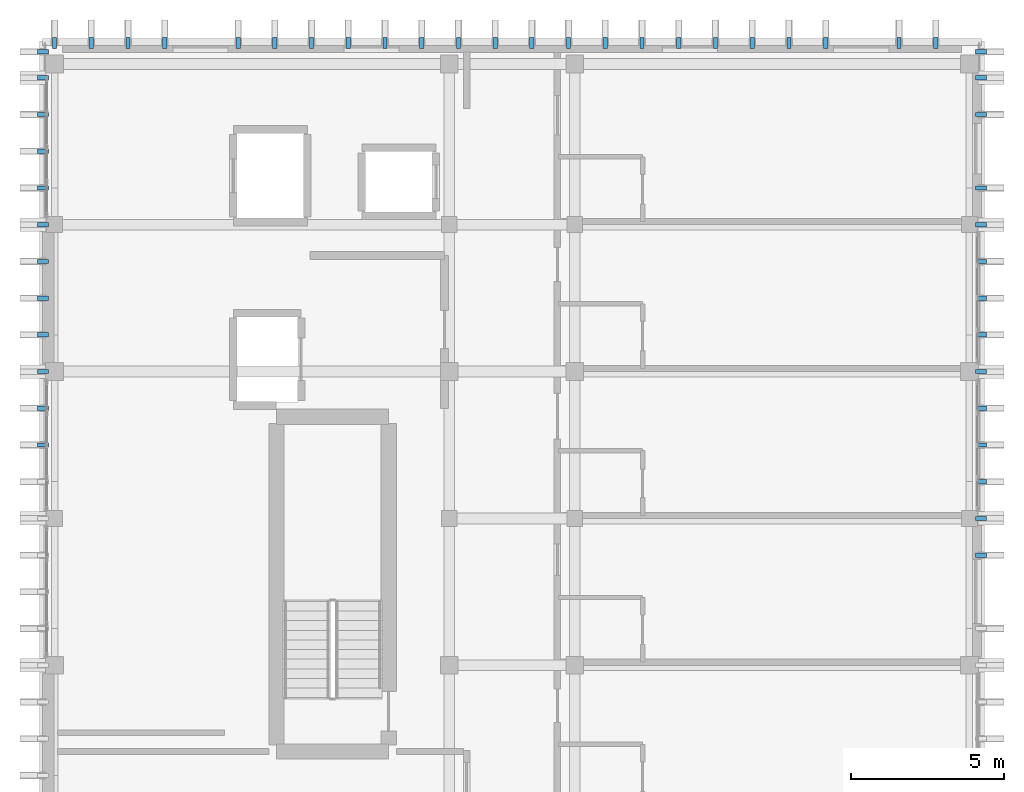
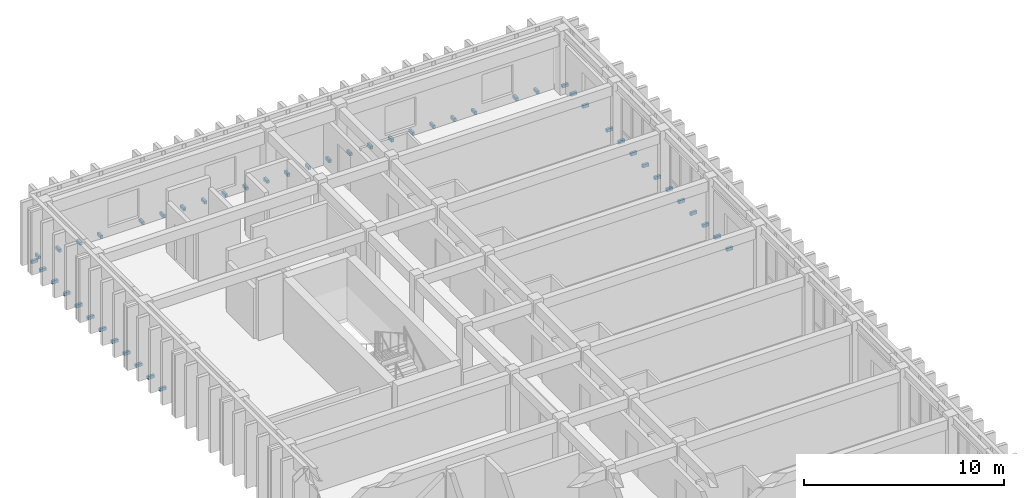
# One storey, part 43 of 49: 49 discrete accessories.
"""IFC4 building model written with IfcOpenShell, lengths in metres."""

import ifcopenshell
import ifcopenshell.guid

model = None  # the IFC model being written
_history = None  # IfcOwnerHistory: only IFC2X3 demands one
_inside = {}  # id of a spatial element -> (the spatial element, [elements in it])
_under = {}  # id of a project, library or spatial element -> (it, [spatial elements below it])
_declared = {}  # id of a project -> (the project, [libraries it declares])
_typed = {}  # id of a type object -> (the type object, [elements of that type])
_made_of = {}  # id of a material, layer set ... -> (it, [elements and type objects made of it])


def new_model(schema):
    """Start an empty IFC model of exactly this schema.

    Asked for "IFC4X3", IfcOpenShell would pick the latest addendum, in which some entities
    have other attributes; the version numbers below select the first issue.
    IFC2X3 requires an IfcOwnerHistory on every rooted entity: one is made here for all.
    """
    global model, _history
    if schema == "IFC4X3":
        model = ifcopenshell.file(schema_version=(4, 3, 0, 0))
    else:
        model = ifcopenshell.file(schema=schema)
    _inside.clear()
    _under.clear()
    _declared.clear()
    _typed.clear()
    _made_of.clear()
    _history = None
    if model.schema == "IFC2X3":
        org = make("IfcOrganization", Name="unknown")
        user = make(
            "IfcPersonAndOrganization",
            ThePerson=make("IfcPerson", FamilyName="unknown"),
            TheOrganization=org,
        )
        app = make(
            "IfcApplication",
            ApplicationDeveloper=org,
            Version="unknown",
            ApplicationFullName="unknown",
            ApplicationIdentifier="unknown",
        )
        _history = make(
            "IfcOwnerHistory",
            OwningUser=user,
            OwningApplication=app,
            ChangeAction="ADDED",
            CreationDate=0,
        )
    return model


def make(cls, **values):
    """One entity of the class cls with the attributes given. An attribute that is None is left unset."""
    return model.create_entity(
        cls, **{name: value for name, value in values.items() if value is not None}
    )


def rooted(cls, **values):
    """An entity with a GlobalId (a new one), such as an element, a storey or a relation."""
    return make(cls, GlobalId=ifcopenshell.guid.new(), OwnerHistory=_history, **values)


def si_unit(unit_type, name, prefix=None):
    """IfcSIUnit, for example si_unit("LENGTHUNIT", "METRE", prefix="MILLI")."""
    return make("IfcSIUnit", UnitType=unit_type, Prefix=prefix, Name=name)


def assignment(units):
    """IfcUnitAssignment: the units of a project."""
    return None if units is None else make("IfcUnitAssignment", Units=units)


def point(xyz):
    """IfcCartesianPoint."""
    return None if xyz is None else make("IfcCartesianPoint", Coordinates=xyz)


def direction(xyz):
    """IfcDirection."""
    return None if xyz is None else make("IfcDirection", DirectionRatios=xyz)


def frame(location, z_axis=None, x_axis=None):
    """IfcAxis2Placement3D, a coordinate frame: its origin and axes. An axis left out is left unset."""
    return make(
        "IfcAxis2Placement3D",
        Location=point(location),
        Axis=direction(z_axis),
        RefDirection=direction(x_axis),
    )


def frame_2d(location, x_axis=None):
    """IfcAxis2Placement2D, a coordinate frame in the plane: its origin and x axis."""
    return make(
        "IfcAxis2Placement2D", Location=point(location), RefDirection=direction(x_axis)
    )


def origin():
    """The frame at (0, 0, 0) with its axes left unset."""
    return frame((0.0, 0.0, 0.0))


def origin_2d():
    """The frame at (0, 0) in the plane with its x axis left unset."""
    return frame_2d((0.0, 0.0))


def place(relative_to, where):
    """IfcLocalPlacement: puts the frame where relative to a parent placement (None: the world)."""
    return make(
        "IfcLocalPlacement", PlacementRelTo=relative_to, RelativePlacement=where
    )


def context(
    kind, dimensions, precision=None, world=None, true_north=None, identifier=None
):
    """IfcGeometricRepresentationContext, for example the 3D "Model" context."""
    return make(
        "IfcGeometricRepresentationContext",
        ContextIdentifier=identifier,
        ContextType=kind,
        CoordinateSpaceDimension=dimensions,
        Precision=precision,
        WorldCoordinateSystem=world,
        TrueNorth=true_north,
    )


def subcontext(parent, identifier, kind, view, scale=None):
    """IfcGeometricRepresentationSubContext, for example "Body" below "Model"."""
    return make(
        "IfcGeometricRepresentationSubContext",
        ContextIdentifier=identifier,
        ContextType=kind,
        ParentContext=parent,
        TargetScale=scale,
        TargetView=view,
    )


def project(units=None, contexts=None):
    """IfcProject with its units and contexts."""
    return rooted(
        "IfcProject",
        Name="project",
        RepresentationContexts=contexts,
        UnitsInContext=assignment(units),
    )


def spatial(cls, under=None, at=None, **own):
    """A site, building, storey or space (cls), placed at a placement, below another one or the project."""
    s = rooted(cls, ObjectPlacement=at, **own)
    if under is not None:
        _under.setdefault(under.id(), (under, []))[1].append(s)
    return s


def profile(cls, at=None, kind="AREA", **sizes):
    """A parametric profile (cls). Its sizes go by their IFC names, for example OverallWidth=200.0."""
    return make(cls, ProfileType=kind, Position=at, **sizes)


def rectangle(**sizes):
    """IfcRectangleProfileDef."""
    return profile("IfcRectangleProfileDef", **sizes)


def extrude(swept, where, along, depth):
    """IfcExtrudedAreaSolid: the profile swept, set in the frame where, extruded along a direction by depth."""
    return make(
        "IfcExtrudedAreaSolid",
        SweptArea=swept,
        Position=where,
        ExtrudedDirection=direction(along),
        Depth=depth,
    )


def shape(context_of_items, identifier, shape_type, items):
    """IfcShapeRepresentation: the items that make up one representation, for example the "Body"."""
    return make(
        "IfcShapeRepresentation",
        ContextOfItems=context_of_items,
        RepresentationIdentifier=identifier,
        RepresentationType=shape_type,
        Items=items,
    )


def material(Name=None, Category=None):
    """IfcMaterial."""
    return make("IfcMaterial", Name=Name, Category=Category)


def made_of(thing, what):
    """Note that an element or type object is made of a material, layer set ...; save() writes the relation."""
    if what is not None:
        _made_of.setdefault(what.id(), (what, []))[1].append(thing)
    return thing


def type_object(cls, material=None, **own):
    """A type object (cls), such as IfcWallType, which elements share."""
    return made_of(rooted(cls, **own), material)


def element(
    cls,
    number,
    at=None,
    inside=None,
    cuts=None,
    type_object=None,
    material=None,
    context=None,
    identifier="Body",
    shape_type=None,
    held_by="IfcProductDefinitionShape",
    body=None,
    shapes=None,
    **own,
):
    """One element of the class cls, such as IfcWall. Its Tag is "e" and its number.

    at: its placement. inside: the storey or other place that contains it. cuts: it is an
    opening in that element (IfcRelVoidsElement). A single representation is given by context,
    identifier, shape_type and body (its items); several are given by shapes. held_by: the class
    of the entity that holds the representations. save() writes the other relations.
    """
    e = rooted(cls, Tag="e%d" % number, ObjectPlacement=at, **own)
    if body is not None:
        shapes = [shape(context, identifier, shape_type, body)]
    if shapes is not None:
        e.Representation = make(held_by, Representations=shapes)
    if inside is not None:
        _inside.setdefault(inside.id(), (inside, []))[1].append(e)
    if cuts is not None:
        rooted(
            "IfcRelVoidsElement", RelatingBuildingElement=cuts, RelatedOpeningElement=e
        )
    if type_object is not None:
        _typed.setdefault(type_object.id(), (type_object, []))[1].append(e)
    return made_of(e, material)


def aggregate(whole, parts):
    """IfcRelAggregates: a whole, such as a stair, and the parts it consists of."""
    return rooted("IfcRelAggregates", RelatingObject=whole, RelatedObjects=parts)


def save(model, path):
    """Write the relations noted so far, then the file.

    IfcRelAggregates (storeys below a building ...), IfcRelContainedInSpatialStructure (elements
    in a storey), IfcRelDefinesByType, IfcRelAssociatesMaterial and IfcRelDeclares: one each for
    every whole, place, type object, material and project.
    """
    for whole, parts in _under.values():
        aggregate(whole, parts)
    for where, things in _inside.values():
        rooted(
            "IfcRelContainedInSpatialStructure",
            RelatedElements=things,
            RelatingStructure=where,
        )
    for kind, things in _typed.values():
        rooted("IfcRelDefinesByType", RelatedObjects=things, RelatingType=kind)
    for what, things in _made_of.values():
        rooted("IfcRelAssociatesMaterial", RelatedObjects=things, RelatingMaterial=what)
    for by, libraries in _declared.values():
        rooted("IfcRelDeclares", RelatingContext=by, RelatedDefinitions=libraries)
    model.write(path)


model = new_model("IFC4")

# Units and contexts
model_context = context("Model", 3, precision=1e-05, world=origin(), true_north=direction((0.0, 1.0)))
body_context = subcontext(model_context, "Body", "Model", "MODEL_VIEW")
ifc_project = project(units=[si_unit("LENGTHUNIT", "METRE"), si_unit("AREAUNIT", "SQUARE_METRE"), si_unit("VOLUMEUNIT", "CUBIC_METRE"), si_unit("PLANEANGLEUNIT", "RADIAN"), si_unit("MASSUNIT", "GRAM", prefix="KILO")], contexts=[model_context])

# Site, building, storey
site_placement = place(None, origin())
site = spatial("IfcSite", under=ifc_project, at=site_placement, CompositionType="ELEMENT")
building_placement = place(site_placement, origin())
building = spatial("IfcBuilding", under=site, at=building_placement, Name="Nakhvara Creek Congress Hotel", CompositionType="ELEMENT")
storey_placement = place(building_placement, frame((0.0, 0.0, 46.5)))
storey = spatial("IfcBuildingStorey", under=building, at=storey_placement, Name="L11", CompositionType="ELEMENT", Elevation=46.5)

# Discrete accessories
ifc_material = material(Name="Brushed stainless steel 316L", Category="steel")
discrete_accessory_type = type_object("IfcDiscreteAccessoryType", Name="ACC-BRK-SS316", PredefinedType="BRACKET", material=ifc_material)
for number, where, z_axis, x_axis, name in (
    (1, (179.72998046875, 109.199951171875, -0.10986328125), (0.0, 0.0, 1.0), (0.0, 1.0, 0.0), "Stainless Fin Bracket BK01-2371"),
    (2, (179.72998046875, 110.39990234375, -0.10986328125), (0.0, 0.0, 1.0), (0.0, 1.0, 0.0), "Stainless Fin Bracket BK01-2373"),
    (3, (179.72998046875, 111.60009765625, -0.10986328125), (0.0, 0.0, 1.0), (0.0, 1.0, 0.0), "Stainless Fin Bracket BK01-2375"),
    (4, (179.72998046875, 112.800048828125, -0.10986328125), (0.0, 0.0, 1.0), (0.0, 1.0, 0.0), "Stainless Fin Bracket BK01-2377"),
    (5, (149.070068359375, 112.800048828125, -0.10986328125), (0.0, 0.0, 1.0), (0.0, 1.0, 0.0), "Stainless Fin Bracket BK01-2378"),
    (6, (179.72998046875, 114.0, -0.10986328125), (0.0, 0.0, 1.0), (0.0, 1.0, 0.0), "Stainless Fin Bracket BK01-2379"),
    (7, (149.070068359375, 114.0, -0.10986328125), (0.0, 0.0, 1.0), (0.0, 1.0, 0.0), "Stainless Fin Bracket BK01-2380"),
    (8, (179.72998046875, 115.199951171875, -0.10986328125), (0.0, 0.0, 1.0), (0.0, 1.0, 0.0), "Stainless Fin Bracket BK01-2381"),
    (9, (149.070068359375, 115.199951171875, -0.10986328125), (0.0, 0.0, 1.0), (0.0, 1.0, 0.0), "Stainless Fin Bracket BK01-2382"),
    (10, (179.72998046875, 116.39990234375, -0.10986328125), (0.0, 0.0, 1.0), (0.0, 1.0, 0.0), "Stainless Fin Bracket BK01-2383"),
    (11, (149.070068359375, 116.39990234375, -0.10986328125), (0.0, 0.0, 1.0), (0.0, 1.0, 0.0), "Stainless Fin Bracket BK01-2384"),
    (12, (179.72998046875, 117.60009765625, -0.10986328125), (0.0, 0.0, 1.0), (0.0, 1.0, 0.0), "Stainless Fin Bracket BK01-2385"),
    (13, (149.070068359375, 117.60009765625, -0.10986328125), (0.0, 0.0, 1.0), (0.0, 1.0, 0.0), "Stainless Fin Bracket BK01-2386"),
    (14, (179.72998046875, 118.800048828125, -0.10986328125), (0.0, 0.0, 1.0), (0.0, 1.0, 0.0), "Stainless Fin Bracket BK01-2387"),
    (15, (149.070068359375, 118.800048828125, -0.10986328125), (0.0, 0.0, 1.0), (0.0, 1.0, 0.0), "Stainless Fin Bracket BK01-2388"),
    (16, (179.72998046875, 120.0, -0.10986328125), (0.0, 0.0, 1.0), (0.0, 1.0, 0.0), "Stainless Fin Bracket BK01-2389"),
    (17, (149.070068359375, 120.0, -0.10986328125), (0.0, 0.0, 1.0), (0.0, 1.0, 0.0), "Stainless Fin Bracket BK01-2390"),
    (18, (179.72998046875, 121.199951171875, -0.10986328125), (0.0, 0.0, 1.0), (0.0, 1.0, 0.0), "Stainless Fin Bracket BK01-2391"),
    (19, (149.070068359375, 121.199951171875, -0.10986328125), (0.0, 0.0, 1.0), (0.0, 1.0, 0.0), "Stainless Fin Bracket BK01-2392"),
    (20, (149.070068359375, 122.39990234375, -0.10986328125), (0.0, 0.0, 1.0), (0.0, 1.0, 0.0), "Stainless Fin Bracket BK01-2393"),
    (21, (179.72998046875, 123.60009765625, -0.10986328125), (0.0, 0.0, 1.0), (0.0, 1.0, 0.0), "Stainless Fin Bracket BK01-2394"),
    (22, (149.070068359375, 123.60009765625, -0.10986328125), (0.0, 0.0, 1.0), (0.0, 1.0, 0.0), "Stainless Fin Bracket BK01-2395"),
    (23, (179.72998046875, 124.800048828125, -0.10986328125), (0.0, 0.0, 1.0), (0.0, 1.0, 0.0), "Stainless Fin Bracket BK01-2396"),
    (24, (149.070068359375, 124.800048828125, -0.10986328125), (0.0, 0.0, 1.0), (0.0, 1.0, 0.0), "Stainless Fin Bracket BK01-2397"),
    (25, (179.72998046875, 125.64990234375, -0.10986328125), (0.0, 0.0, 1.0), (0.0, 1.0, 0.0), "Stainless Fin Bracket BK01-2398"),
    (26, (149.070068359375, 125.64990234375, -0.10986328125), (0.0, 0.0, 1.0), (0.0, 1.0, 0.0), "Stainless Fin Bracket BK01-2399"),
    (27, (149.449951171875, 125.93994140625, -0.10986328125), (0.0, 0.0, 1.0), (1.0, 0.0, 0.0), "Stainless Fin Bracket BK01-2400"),
    (28, (150.64990234375, 125.93994140625, -0.10986328125), (0.0, 0.0, 1.0), (1.0, 0.0, 0.0), "Stainless Fin Bracket BK01-2402"),
    (29, (151.85009765625, 125.93994140625, -0.10986328125), (0.0, 0.0, 1.0), (1.0, 0.0, 0.0), "Stainless Fin Bracket BK01-2404"),
    (30, (153.050048828125, 125.93994140625, -0.10986328125), (0.0, 0.0, 1.0), (1.0, 0.0, 0.0), "Stainless Fin Bracket BK01-2406"),
    (31, (155.449951171875, 125.93994140625, -0.10986328125), (0.0, 0.0, 1.0), (1.0, 0.0, 0.0), "Stainless Fin Bracket BK01-2408"),
    (32, (156.64990234375, 125.93994140625, -0.10986328125), (0.0, 0.0, 1.0), (1.0, 0.0, 0.0), "Stainless Fin Bracket BK01-2410"),
    (33, (157.85009765625, 125.93994140625, -0.10986328125), (0.0, 0.0, 1.0), (1.0, 0.0, 0.0), "Stainless Fin Bracket BK01-2412"),
    (34, (159.050048828125, 125.93994140625, -0.10986328125), (0.0, 0.0, 1.0), (1.0, 0.0, 0.0), "Stainless Fin Bracket BK01-2414"),
    (35, (160.25, 125.93994140625, -0.10986328125), (0.0, 0.0, 1.0), (1.0, 0.0, 0.0), "Stainless Fin Bracket BK01-2416"),
    (36, (161.449951171875, 125.93994140625, -0.10986328125), (0.0, 0.0, 1.0), (1.0, 0.0, 0.0), "Stainless Fin Bracket BK01-2418"),
    (37, (162.64990234375, 125.93994140625, -0.10986328125), (0.0, 0.0, 1.0), (1.0, 0.0, 0.0), "Stainless Fin Bracket BK01-2420"),
    (38, (163.85009765625, 125.93994140625, -0.10986328125), (0.0, 0.0, 1.0), (1.0, 0.0, 0.0), "Stainless Fin Bracket BK01-2421"),
    (39, (165.050048828125, 125.93994140625, -0.10986328125), (0.0, 0.0, 1.0), (1.0, 0.0, 0.0), "Stainless Fin Bracket BK01-2422"),
    (40, (166.25, 125.93994140625, -0.10986328125), (0.0, 0.0, 1.0), (1.0, 0.0, 0.0), "Stainless Fin Bracket BK01-2424"),
    (41, (167.449951171875, 125.93994140625, -0.10986328125), (0.0, 0.0, 1.0), (1.0, 0.0, 0.0), "Stainless Fin Bracket BK01-2426"),
    (42, (168.64990234375, 125.93994140625, -0.10986328125), (0.0, 0.0, 1.0), (1.0, 0.0, 0.0), "Stainless Fin Bracket BK01-2428"),
    (43, (169.85009765625, 125.93994140625, -0.10986328125), (0.0, 0.0, 1.0), (1.0, 0.0, 0.0), "Stainless Fin Bracket BK01-2429"),
    (44, (171.050048828125, 125.93994140625, -0.10986328125), (0.0, 0.0, 1.0), (1.0, 0.0, 0.0), "Stainless Fin Bracket BK01-2431"),
    (45, (172.25, 125.93994140625, -0.10986328125), (0.0, 0.0, 1.0), (1.0, 0.0, 0.0), "Stainless Fin Bracket BK01-2433"),
    (46, (173.449951171875, 125.93994140625, -0.10986328125), (0.0, 0.0, 1.0), (1.0, 0.0, 0.0), "Stainless Fin Bracket BK01-2435"),
    (47, (174.64990234375, 125.93994140625, -0.10986328125), (0.0, 0.0, 1.0), (1.0, 0.0, 0.0), "Stainless Fin Bracket BK01-2437"),
    (48, (177.050048828125, 125.93994140625, -0.10986328125), (0.0, 0.0, 1.0), (1.0, 0.0, 0.0), "Stainless Fin Bracket BK01-2440"),
    (49, (178.25, 125.93994140625, -0.10986328125), (0.0, 0.0, 1.0), (1.0, 0.0, 0.0), "Stainless Fin Bracket BK01-2442"),
):
    element("IfcDiscreteAccessory", number, at=place(storey_placement, frame(where, z_axis=z_axis, x_axis=x_axis)), inside=storey, type_object=discrete_accessory_type, Name=name, PredefinedType="BRACKET", context=body_context, shape_type="SweptSolid", body=[
        extrude(rectangle(XDim=0.139892578125, YDim=0.360107421875, at=origin_2d()), origin(), (0.0, 0.0, 1.0), 0.179931640625),
    ])

save(model, "model.ifc")
